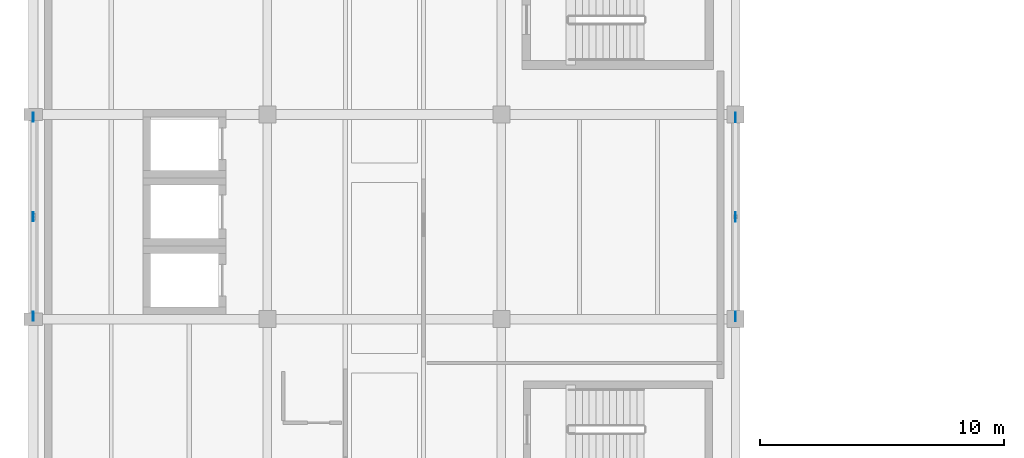
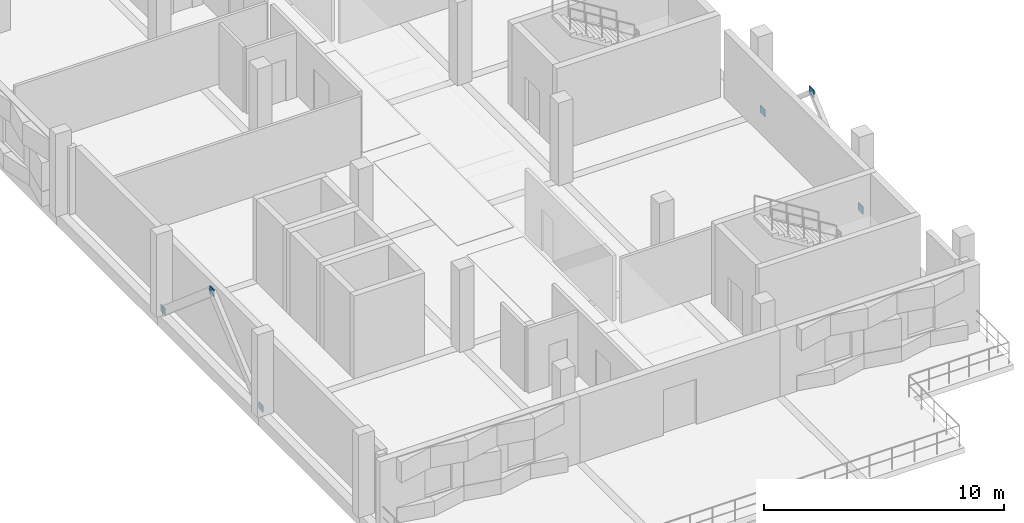
# One storey, part 9 of 24: 6 plates.
"""IFC4 building model written with IfcOpenShell, lengths in metres."""

from ifc_helpers import new_model, si_unit, direction, frame, origin, origin_2d, place, context, subcontext, project, spatial, rectangle, extrude, material, layer, layer_set, type_object, element, save


model = new_model("IFC4")

# Units and contexts
model_context = context("Model", 3, precision=1e-05, world=origin(), true_north=direction((0.0, 1.0)))
body_context = subcontext(model_context, "Body", "Model", "MODEL_VIEW")
ifc_project = project(units=[si_unit("LENGTHUNIT", "METRE"), si_unit("AREAUNIT", "SQUARE_METRE"), si_unit("VOLUMEUNIT", "CUBIC_METRE"), si_unit("PLANEANGLEUNIT", "RADIAN"), si_unit("MASSUNIT", "GRAM", prefix="KILO")], contexts=[model_context])

# Site, building, storey
site_placement = place(None, origin())
site = spatial("IfcSite", under=ifc_project, at=site_placement, CompositionType="ELEMENT")
building_placement = place(site_placement, origin())
building = spatial("IfcBuilding", under=site, at=building_placement, Name="Oolite Switchyard Hospital", CompositionType="ELEMENT")
storey_placement = place(building_placement, frame((0.0, 0.0, 22.0)))
storey = spatial("IfcBuildingStorey", under=building, at=storey_placement, Name="L05", CompositionType="ELEMENT", Elevation=22.0)

# Plates
ifc_material = material(Name="Steel ASTM A572 Grade 50", Category="steel")
ifc_layer_1 = layer(ifc_material, 0.02392578125)
ifc_layer_set_1 = layer_set([ifc_layer_1], Name="PLT-GUS-360")
plate_type_1 = type_object("IfcPlateType", Name="PLT-GUS-360", PredefinedType="SHEET", material=ifc_layer_set_1)
for number, where, z_axis, x_axis, name in (
    (1, (0.0, 50.52001953125, 0.02001953125), (0.0, 0.0, 1.0), (0.0, 1.0, 0.0), "L05 Brace Base Gusset Plate 16"),
    (2, (0.0, 58.679931640625, 0.02001953125), (0.0, 0.0, 1.0), (0.0, 1.0, 0.0), "L05 Brace Base Gusset Plate 17"),
    (3, (0.0, 54.60009765625, 3.419921875), (0.0, 0.0, 1.0), (0.0, 1.0, 0.0), "L05 Gusset Connection Plate 18"),
):
    element("IfcPlate", number, at=place(storey_placement, frame(where, z_axis=z_axis, x_axis=x_axis)), inside=storey, type_object=plate_type_1, Name=name, PredefinedType="SHEET", context=body_context, shape_type="SweptSolid", body=[
        extrude(rectangle(XDim=0.360107421875, YDim=0.02392578125, at=origin_2d()), origin(), (0.0, 0.0, 1.0), 0.360107421875),
    ])
ifc_layer_2 = layer(ifc_material, 0.02587890625)
ifc_layer_set_2 = layer_set([ifc_layer_2], Name="PLT-GUS-390")
plate_type_2 = type_object("IfcPlateType", Name="PLT-GUS-390", PredefinedType="SHEET", material=ifc_layer_set_2)
for number, where, z_axis, x_axis, name in (
    (4, (28.800048828125, 50.52001953125, 0.0048828125), (0.0, 0.0, 1.0), (0.0, 1.0, 0.0), "L05 Brace Base Gusset Plate 37"),
    (5, (28.800048828125, 58.679931640625, 0.0048828125), (0.0, 0.0, 1.0), (0.0, 1.0, 0.0), "L05 Brace Base Gusset Plate 38"),
    (6, (28.800048828125, 54.60009765625, 3.455078125), (0.0, 0.0, 1.0), (0.0, 1.0, 0.0), "L05 Gusset Connection Plate 39"),
):
    element("IfcPlate", number, at=place(storey_placement, frame(where, z_axis=z_axis, x_axis=x_axis)), inside=storey, type_object=plate_type_2, Name=name, PredefinedType="SHEET", context=body_context, shape_type="SweptSolid", body=[
        extrude(rectangle(XDim=0.389892578125, YDim=0.02587890625, at=origin_2d()), origin(), (0.0, 0.0, 1.0), 0.389892578125),
    ])

save(model, "model.ifc")
